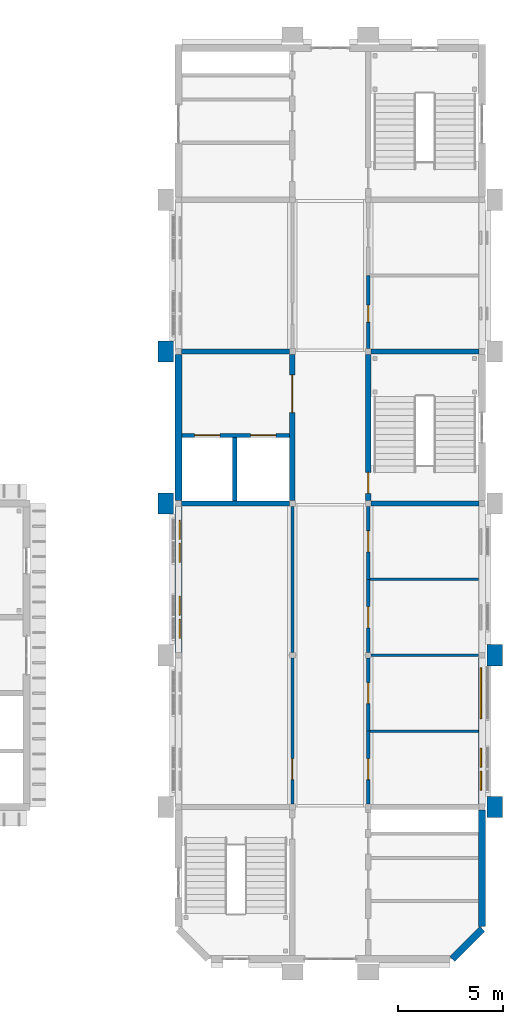
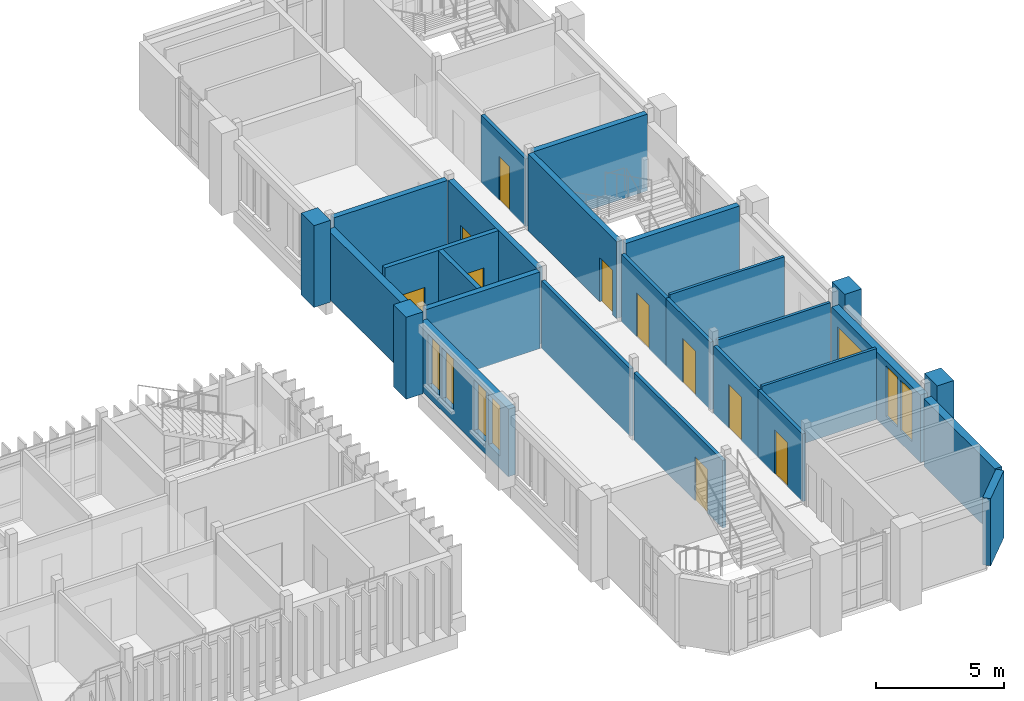
# One storey, part 46 of 69: 27 walls, 10 doors, 7 windows, 17 openings.
"""IFC4 building model written with IfcOpenShell, lengths in metres."""

import ifcopenshell
import ifcopenshell.guid

model = None  # the IFC model being written
_history = None  # IfcOwnerHistory: only IFC2X3 demands one
_inside = {}  # id of a spatial element -> (the spatial element, [elements in it])
_under = {}  # id of a project, library or spatial element -> (it, [spatial elements below it])
_declared = {}  # id of a project -> (the project, [libraries it declares])
_typed = {}  # id of a type object -> (the type object, [elements of that type])
_made_of = {}  # id of a material, layer set ... -> (it, [elements and type objects made of it])


def new_model(schema):
    """Start an empty IFC model of exactly this schema.

    Asked for "IFC4X3", IfcOpenShell would pick the latest addendum, in which some entities
    have other attributes; the version numbers below select the first issue.
    IFC2X3 requires an IfcOwnerHistory on every rooted entity: one is made here for all.
    """
    global model, _history
    if schema == "IFC4X3":
        model = ifcopenshell.file(schema_version=(4, 3, 0, 0))
    else:
        model = ifcopenshell.file(schema=schema)
    _inside.clear()
    _under.clear()
    _declared.clear()
    _typed.clear()
    _made_of.clear()
    _history = None
    if model.schema == "IFC2X3":
        org = make("IfcOrganization", Name="unknown")
        user = make(
            "IfcPersonAndOrganization",
            ThePerson=make("IfcPerson", FamilyName="unknown"),
            TheOrganization=org,
        )
        app = make(
            "IfcApplication",
            ApplicationDeveloper=org,
            Version="unknown",
            ApplicationFullName="unknown",
            ApplicationIdentifier="unknown",
        )
        _history = make(
            "IfcOwnerHistory",
            OwningUser=user,
            OwningApplication=app,
            ChangeAction="ADDED",
            CreationDate=0,
        )
    return model


def make(cls, **values):
    """One entity of the class cls with the attributes given. An attribute that is None is left unset."""
    return model.create_entity(
        cls, **{name: value for name, value in values.items() if value is not None}
    )


def rooted(cls, **values):
    """An entity with a GlobalId (a new one), such as an element, a storey or a relation."""
    return make(cls, GlobalId=ifcopenshell.guid.new(), OwnerHistory=_history, **values)


def si_unit(unit_type, name, prefix=None):
    """IfcSIUnit, for example si_unit("LENGTHUNIT", "METRE", prefix="MILLI")."""
    return make("IfcSIUnit", UnitType=unit_type, Prefix=prefix, Name=name)


def assignment(units):
    """IfcUnitAssignment: the units of a project."""
    return None if units is None else make("IfcUnitAssignment", Units=units)


def point(xyz):
    """IfcCartesianPoint."""
    return None if xyz is None else make("IfcCartesianPoint", Coordinates=xyz)


def direction(xyz):
    """IfcDirection."""
    return None if xyz is None else make("IfcDirection", DirectionRatios=xyz)


def frame(location, z_axis=None, x_axis=None):
    """IfcAxis2Placement3D, a coordinate frame: its origin and axes. An axis left out is left unset."""
    return make(
        "IfcAxis2Placement3D",
        Location=point(location),
        Axis=direction(z_axis),
        RefDirection=direction(x_axis),
    )


def frame_2d(location, x_axis=None):
    """IfcAxis2Placement2D, a coordinate frame in the plane: its origin and x axis."""
    return make(
        "IfcAxis2Placement2D", Location=point(location), RefDirection=direction(x_axis)
    )


def origin():
    """The frame at (0, 0, 0) with its axes left unset."""
    return frame((0.0, 0.0, 0.0))


def place(relative_to, where):
    """IfcLocalPlacement: puts the frame where relative to a parent placement (None: the world)."""
    return make(
        "IfcLocalPlacement", PlacementRelTo=relative_to, RelativePlacement=where
    )


def context(
    kind, dimensions, precision=None, world=None, true_north=None, identifier=None
):
    """IfcGeometricRepresentationContext, for example the 3D "Model" context."""
    return make(
        "IfcGeometricRepresentationContext",
        ContextIdentifier=identifier,
        ContextType=kind,
        CoordinateSpaceDimension=dimensions,
        Precision=precision,
        WorldCoordinateSystem=world,
        TrueNorth=true_north,
    )


def subcontext(parent, identifier, kind, view, scale=None):
    """IfcGeometricRepresentationSubContext, for example "Body" below "Model"."""
    return make(
        "IfcGeometricRepresentationSubContext",
        ContextIdentifier=identifier,
        ContextType=kind,
        ParentContext=parent,
        TargetScale=scale,
        TargetView=view,
    )


def project(units=None, contexts=None):
    """IfcProject with its units and contexts."""
    return rooted(
        "IfcProject",
        Name="project",
        RepresentationContexts=contexts,
        UnitsInContext=assignment(units),
    )


def spatial(cls, under=None, at=None, **own):
    """A site, building, storey or space (cls), placed at a placement, below another one or the project."""
    s = rooted(cls, ObjectPlacement=at, **own)
    if under is not None:
        _under.setdefault(under.id(), (under, []))[1].append(s)
    return s


def profile(cls, at=None, kind="AREA", **sizes):
    """A parametric profile (cls). Its sizes go by their IFC names, for example OverallWidth=200.0."""
    return make(cls, ProfileType=kind, Position=at, **sizes)


def rectangle(**sizes):
    """IfcRectangleProfileDef."""
    return profile("IfcRectangleProfileDef", **sizes)


def extrude(swept, where, along, depth):
    """IfcExtrudedAreaSolid: the profile swept, set in the frame where, extruded along a direction by depth."""
    return make(
        "IfcExtrudedAreaSolid",
        SweptArea=swept,
        Position=where,
        ExtrudedDirection=direction(along),
        Depth=depth,
    )


def shape(context_of_items, identifier, shape_type, items):
    """IfcShapeRepresentation: the items that make up one representation, for example the "Body"."""
    return make(
        "IfcShapeRepresentation",
        ContextOfItems=context_of_items,
        RepresentationIdentifier=identifier,
        RepresentationType=shape_type,
        Items=items,
    )


def material(Name=None, Category=None):
    """IfcMaterial."""
    return make("IfcMaterial", Name=Name, Category=Category)


def layer(
    of_material, thickness, ventilated=None, Name=None, Category=None, Priority=None
):
    """IfcMaterialLayer: one layer of a wall or slab, of a material (None: an air gap)."""
    return make(
        "IfcMaterialLayer",
        Material=of_material,
        LayerThickness=thickness,
        IsVentilated=ventilated,
        Name=Name,
        Category=Category,
        Priority=Priority,
    )


def layer_set(layers, Name=None):
    """IfcMaterialLayerSet."""
    return make("IfcMaterialLayerSet", MaterialLayers=layers, LayerSetName=Name)


def made_of(thing, what):
    """Note that an element or type object is made of a material, layer set ...; save() writes the relation."""
    if what is not None:
        _made_of.setdefault(what.id(), (what, []))[1].append(thing)
    return thing


def type_object(cls, material=None, **own):
    """A type object (cls), such as IfcWallType, which elements share."""
    return made_of(rooted(cls, **own), material)


def element(
    cls,
    number,
    at=None,
    inside=None,
    cuts=None,
    type_object=None,
    material=None,
    context=None,
    identifier="Body",
    shape_type=None,
    held_by="IfcProductDefinitionShape",
    body=None,
    shapes=None,
    **own,
):
    """One element of the class cls, such as IfcWall. Its Tag is "e" and its number.

    at: its placement. inside: the storey or other place that contains it. cuts: it is an
    opening in that element (IfcRelVoidsElement). A single representation is given by context,
    identifier, shape_type and body (its items); several are given by shapes. held_by: the class
    of the entity that holds the representations. save() writes the other relations.
    """
    e = rooted(cls, Tag="e%d" % number, ObjectPlacement=at, **own)
    if body is not None:
        shapes = [shape(context, identifier, shape_type, body)]
    if shapes is not None:
        e.Representation = make(held_by, Representations=shapes)
    if inside is not None:
        _inside.setdefault(inside.id(), (inside, []))[1].append(e)
    if cuts is not None:
        rooted(
            "IfcRelVoidsElement", RelatingBuildingElement=cuts, RelatedOpeningElement=e
        )
    if type_object is not None:
        _typed.setdefault(type_object.id(), (type_object, []))[1].append(e)
    return made_of(e, material)


def fill(opening, filler):
    """IfcRelFillsElement: the door or window that sits in an opening."""
    return rooted(
        "IfcRelFillsElement",
        RelatingOpeningElement=opening,
        RelatedBuildingElement=filler,
    )


def aggregate(whole, parts):
    """IfcRelAggregates: a whole, such as a stair, and the parts it consists of."""
    return rooted("IfcRelAggregates", RelatingObject=whole, RelatedObjects=parts)


def save(model, path):
    """Write the relations noted so far, then the file.

    IfcRelAggregates (storeys below a building ...), IfcRelContainedInSpatialStructure (elements
    in a storey), IfcRelDefinesByType, IfcRelAssociatesMaterial and IfcRelDeclares: one each for
    every whole, place, type object, material and project.
    """
    for whole, parts in _under.values():
        aggregate(whole, parts)
    for where, things in _inside.values():
        rooted(
            "IfcRelContainedInSpatialStructure",
            RelatedElements=things,
            RelatingStructure=where,
        )
    for kind, things in _typed.values():
        rooted("IfcRelDefinesByType", RelatedObjects=things, RelatingType=kind)
    for what, things in _made_of.values():
        rooted("IfcRelAssociatesMaterial", RelatedObjects=things, RelatingMaterial=what)
    for by, libraries in _declared.values():
        rooted("IfcRelDeclares", RelatingContext=by, RelatedDefinitions=libraries)
    model.write(path)


model = new_model("IFC4")

# Units and contexts
model_context = context("Model", 3, precision=1e-05, world=origin(), true_north=direction((0.0, 1.0)))
body_context = subcontext(model_context, "Body", "Model", "MODEL_VIEW")
ifc_project = project(units=[si_unit("LENGTHUNIT", "METRE"), si_unit("AREAUNIT", "SQUARE_METRE"), si_unit("VOLUMEUNIT", "CUBIC_METRE"), si_unit("PLANEANGLEUNIT", "RADIAN"), si_unit("MASSUNIT", "GRAM", prefix="KILO")], contexts=[model_context])

# Site, building, storey
site_placement = place(None, origin())
site = spatial("IfcSite", under=ifc_project, at=site_placement, CompositionType="ELEMENT")
building_placement = place(site_placement, origin())
building = spatial("IfcBuilding", under=site, at=building_placement, Name="Mazhai Court Health Centre", CompositionType="ELEMENT")
storey_placement = place(building_placement, frame((0.0, 0.0, 6.300048828125)))
storey = spatial("IfcBuildingStorey", under=building, at=storey_placement, Name="L01", CompositionType="ELEMENT", Elevation=6.300048828125)

# Walls
ifc_material_1 = material(Name="Clay brick masonry", Category="masonry")
ifc_layer_1 = layer(ifc_material_1, 0.75)
ifc_layer_set_1 = layer_set([ifc_layer_1], Name="BRICK PIER 750")
wall_type_1 = type_object("IfcWallType", Name="BRICK PIER 750", PredefinedType="SOLIDWALL", material=ifc_layer_set_1)
for number, where, z_axis, x_axis, name in (
    (1, (135.199951171875, 27.300048828125, 0.0), (0.0, 0.0, 1.0), (0.0, 1.0, 0.0), "EP-V6-L01-A3"),
    (2, (135.199951171875, 34.5, 0.0), (0.0, 0.0, 1.0), (0.0, 1.0, 0.0), "EP-V6-L01-A4"),
    (3, (150.800048828125, 13.89990234375, 0.0), (0.0, 0.0, 1.0), (0.0, -1.0, 0.0), "EP-V6-L01-B1"),
    (4, (150.800048828125, 21.10009765625, 0.0), (0.0, 0.0, 1.0), (0.0, -1.0, 0.0), "EP-V6-L01-B2"),
):
    element("IfcWall", number, at=place(storey_placement, frame(where, z_axis=z_axis, x_axis=x_axis)), inside=storey, type_object=wall_type_1, Name=name, PredefinedType="SOLIDWALL", context=body_context, shape_type="SweptSolid", body=[
        extrude(rectangle(XDim=1.0, YDim=0.75, at=frame_2d((0.5, 0.0))), origin(), (0.0, 0.0, 1.0), 3.89990234375),
    ])

# Wall, openings, windows
ifc_material_2 = material(Name="Clay brick masonry", Category="masonry")
ifc_layer_2 = layer(ifc_material_2, 0.330078125)
ifc_layer_set_2 = layer_set([ifc_layer_2], Name="BRICK WALL 330 EXTERNAL")
wall_type_2 = type_object("IfcWallType", Name="BRICK WALL 330 EXTERNAL", PredefinedType="SOLIDWALL", material=ifc_layer_set_2)
wall_1_placement = place(storey_placement, frame((135.800048828125, 20.739990234375, 0.0), z_axis=(0.0, 0.0, 1.0), x_axis=(0.0, 1.0, 0.0)))
wall_1 = element("IfcWall", 5, at=wall_1_placement, inside=storey, type_object=wall_type_2, Name="EW-V6-L01-A2p0", PredefinedType="SOLIDWALL", context=body_context, shape_type="SweptSolid", body=[
    extrude(rectangle(XDim=6.919921875, YDim=0.330078125, at=frame_2d((3.4599609375, 0.0))), origin(), (0.0, 0.0, 1.0), 3.219970703125),
])
opening_1_placement = place(wall_1_placement, frame((0.659912109375, 0.0, 0.60009765625)))
opening_1 = element("IfcOpeningElement", 6, at=opening_1_placement, cuts=wall_1, Name="Opening W14", PredefinedType="OPENING", context=body_context, shape_type="SweptSolid", body=[
    extrude(rectangle(XDim=0.89990234375, YDim=2.39990234375, at=frame_2d((0.449951171875, 1.199951171875))), frame((0.0, 0.175048828125, 0.0), z_axis=(0.0, -1.0, 0.0), x_axis=(1.0, 0.0, 0.0)), (0.0, 0.0, 1.0), 0.35009765625),
])
opening_2_placement = place(wall_1_placement, frame((1.760009765625, 0.0, 0.60009765625)))
opening_2 = element("IfcOpeningElement", 7, at=opening_2_placement, cuts=wall_1, Name="Opening W14", PredefinedType="OPENING", context=body_context, shape_type="SweptSolid", body=[
    extrude(rectangle(XDim=0.89990234375, YDim=2.39990234375, at=frame_2d((0.449951171875, 1.199951171875))), frame((0.0, 0.175048828125, 0.0), z_axis=(0.0, -1.0, 0.0), x_axis=(1.0, 0.0, 0.0)), (0.0, 0.0, 1.0), 0.35009765625),
])
opening_3_placement = place(wall_1_placement, frame((4.260009765625, 0.0, 0.60009765625)))
opening_3 = element("IfcOpeningElement", 8, at=opening_3_placement, cuts=wall_1, Name="Opening W14", PredefinedType="OPENING", context=body_context, shape_type="SweptSolid", body=[
    extrude(rectangle(XDim=0.89990234375, YDim=2.39990234375, at=frame_2d((0.449951171875, 1.199951171875))), frame((0.0, 0.175048828125, 0.0), z_axis=(0.0, -1.0, 0.0), x_axis=(1.0, 0.0, 0.0)), (0.0, 0.0, 1.0), 0.35009765625),
])
opening_4_placement = place(wall_1_placement, frame((5.360107421875, 0.0, 0.60009765625)))
opening_4 = element("IfcOpeningElement", 9, at=opening_4_placement, cuts=wall_1, Name="Opening W14", PredefinedType="OPENING", context=body_context, shape_type="SweptSolid", body=[
    extrude(rectangle(XDim=0.89990234375, YDim=2.39990234375, at=frame_2d((0.449951171875, 1.199951171875))), frame((0.0, 0.175048828125, 0.0), z_axis=(0.0, -1.0, 0.0), x_axis=(1.0, 0.0, 0.0)), (0.0, 0.0, 1.0), 0.35009765625),
])
ifc_material_3 = material(Name="Teak timber frame, glazed", Category="wood")
window_type_1 = type_object("IfcWindowType", Name="WINDOW TALL PAIRED 900x2400", PartitioningType="SINGLE_PANEL", PredefinedType="WINDOW", material=ifc_material_3)
window_1_placement = place(opening_1_placement, origin())
window_1 = element("IfcWindow", 10, at=window_1_placement, inside=storey, type_object=window_type_1, Name="W14 WN-V6-L01-A20a", OverallHeight=2.39990234375, OverallWidth=0.89990234375, PartitioningType="SINGLE_PANEL", PredefinedType="WINDOW", context=body_context, shape_type="SweptSolid", body=[
    extrude(rectangle(XDim=0.89990234375, YDim=2.39990234375, at=frame_2d((0.449951171875, 1.199951171875))), frame((0.0, -0.030029296875, 0.0), z_axis=(0.0, -1.0, 0.0), x_axis=(1.0, 0.0, 0.0)), (0.0, 0.0, 1.0), 0.06005859375),
])
fill(opening_1, window_1)
window_2_placement = place(opening_2_placement, origin())
window_2 = element("IfcWindow", 11, at=window_2_placement, inside=storey, type_object=window_type_1, Name="W14 WN-V6-L01-A20b", OverallHeight=2.39990234375, OverallWidth=0.89990234375, PartitioningType="SINGLE_PANEL", PredefinedType="WINDOW", context=body_context, shape_type="SweptSolid", body=[
    extrude(rectangle(XDim=0.89990234375, YDim=2.39990234375, at=frame_2d((0.449951171875, 1.199951171875))), frame((0.0, -0.030029296875, 0.0), z_axis=(0.0, -1.0, 0.0), x_axis=(1.0, 0.0, 0.0)), (0.0, 0.0, 1.0), 0.06005859375),
])
fill(opening_2, window_2)
window_3_placement = place(opening_3_placement, origin())
window_3 = element("IfcWindow", 12, at=window_3_placement, inside=storey, type_object=window_type_1, Name="W14 WN-V6-L01-A21a", OverallHeight=2.39990234375, OverallWidth=0.89990234375, PartitioningType="SINGLE_PANEL", PredefinedType="WINDOW", context=body_context, shape_type="SweptSolid", body=[
    extrude(rectangle(XDim=0.89990234375, YDim=2.39990234375, at=frame_2d((0.449951171875, 1.199951171875))), frame((0.0, -0.030029296875, 0.0), z_axis=(0.0, -1.0, 0.0), x_axis=(1.0, 0.0, 0.0)), (0.0, 0.0, 1.0), 0.06005859375),
])
fill(opening_3, window_3)
window_4_placement = place(opening_4_placement, origin())
window_4 = element("IfcWindow", 13, at=window_4_placement, inside=storey, type_object=window_type_1, Name="W14 WN-V6-L01-A21b", OverallHeight=2.39990234375, OverallWidth=0.89990234375, PartitioningType="SINGLE_PANEL", PredefinedType="WINDOW", context=body_context, shape_type="SweptSolid", body=[
    extrude(rectangle(XDim=0.89990234375, YDim=2.39990234375, at=frame_2d((0.449951171875, 1.199951171875))), frame((0.0, -0.030029296875, 0.0), z_axis=(0.0, -1.0, 0.0), x_axis=(1.0, 0.0, 0.0)), (0.0, 0.0, 1.0), 0.06005859375),
])
fill(opening_4, window_4)

# Walls
wall_2_placement = place(storey_placement, frame((135.800048828125, 27.93994140625, 0.0), z_axis=(0.0, 0.0, 1.0), x_axis=(0.0, 1.0, 0.0)))
element("IfcWall", 14, at=wall_2_placement, inside=storey, type_object=wall_type_2, Name="EW-V6-L01-A3", PredefinedType="SOLIDWALL", context=body_context, shape_type="SweptSolid", body=[
    extrude(rectangle(XDim=6.920166015625, YDim=0.330078125, at=frame_2d((3.4599609375, 0.0))), origin(), (0.0, 0.0, 1.0), 3.219970703125),
])
wall_3_placement = place(storey_placement, frame((150.199951171875, 13.260009765625, 0.0), z_axis=(0.0, 0.0, 1.0), x_axis=(0.0, -1.0, 0.0)))
element("IfcWall", 15, at=wall_3_placement, inside=storey, type_object=wall_type_2, Name="EW-V6-L01-B0", PredefinedType="SOLIDWALL", context=body_context, shape_type="SweptSolid", body=[
    extrude(rectangle(XDim=5.529052734375, YDim=0.330078125, at=frame_2d((2.7646484375, 0.0))), origin(), (0.0, 0.0, 1.0), 3.219970703125),
])

# Wall, openings, windows
wall_4_placement = place(storey_placement, frame((150.199951171875, 20.4599609375, 0.0), z_axis=(0.0, 0.0, 1.0), x_axis=(0.0, -1.0, 0.0)))
wall_4 = element("IfcWall", 16, at=wall_4_placement, inside=storey, type_object=wall_type_2, Name="EW-V6-L01-B1p0", PredefinedType="SOLIDWALL", context=body_context, shape_type="SweptSolid", body=[
    extrude(rectangle(XDim=6.919921875, YDim=0.330078125, at=frame_2d((3.4599609375, 0.0))), origin(), (0.0, 0.0, 1.0), 3.219970703125),
])
opening_5_placement = place(wall_4_placement, frame((5.360107421875, 0.0, 0.60009765625)))
opening_5 = element("IfcOpeningElement", 17, at=opening_5_placement, cuts=wall_4, Name="Opening W14", PredefinedType="OPENING", context=body_context, shape_type="SweptSolid", body=[
    extrude(rectangle(XDim=0.89990234375, YDim=2.39990234375, at=frame_2d((0.449951171875, 1.199951171875))), frame((0.0, 0.175048828125, 0.0), z_axis=(0.0, -1.0, 0.0), x_axis=(1.0, 0.0, 0.0)), (0.0, 0.0, 1.0), 0.35009765625),
])
opening_6_placement = place(wall_4_placement, frame((4.260009765625, 0.0, 0.60009765625)))
opening_6 = element("IfcOpeningElement", 18, at=opening_6_placement, cuts=wall_4, Name="Opening W14", PredefinedType="OPENING", context=body_context, shape_type="SweptSolid", body=[
    extrude(rectangle(XDim=0.89990234375, YDim=2.39990234375, at=frame_2d((0.449951171875, 1.199951171875))), frame((0.0, 0.175048828125, 0.0), z_axis=(0.0, -1.0, 0.0), x_axis=(1.0, 0.0, 0.0)), (0.0, 0.0, 1.0), 0.35009765625),
])
opening_7_placement = place(wall_4_placement, frame((0.4599609375, 0.0, 0.449951171875)))
opening_7 = element("IfcOpeningElement", 19, at=opening_7_placement, cuts=wall_4, Name="Opening W10", PredefinedType="OPENING", context=body_context, shape_type="SweptSolid", body=[
    extrude(rectangle(XDim=2.39990234375, YDim=2.10009765625, at=frame_2d((1.199951171875, 1.050048828125))), frame((0.0, 0.175048828125, 0.0), z_axis=(0.0, -1.0, 0.0), x_axis=(1.0, 0.0, 0.0)), (0.0, 0.0, 1.0), 0.35009765625),
])
ifc_material_4 = material(Name="Teak timber frame, glazed", Category="wood")
window_type_2 = type_object("IfcWindowType", Name="WINDOW LOUNGE 2400x2100", PartitioningType="SINGLE_PANEL", PredefinedType="WINDOW", material=ifc_material_4)
window_5_placement = place(opening_7_placement, origin())
window_5 = element("IfcWindow", 20, at=window_5_placement, inside=storey, type_object=window_type_2, Name="W10 WN-V6-L01-B11", OverallHeight=2.10009765625, OverallWidth=2.39990234375, PartitioningType="SINGLE_PANEL", PredefinedType="WINDOW", context=body_context, shape_type="SweptSolid", body=[
    extrude(rectangle(XDim=2.39990234375, YDim=2.10009765625, at=frame_2d((1.199951171875, 1.050048828125))), frame((0.0, -0.030029296875, 0.0), z_axis=(0.0, -1.0, 0.0), x_axis=(1.0, 0.0, 0.0)), (0.0, 0.0, 1.0), 0.06005859375),
])
fill(opening_7, window_5)
window_6_placement = place(opening_5_placement, origin())
window_6 = element("IfcWindow", 21, at=window_6_placement, inside=storey, type_object=window_type_1, Name="W14 WN-V6-L01-B10a", OverallHeight=2.39990234375, OverallWidth=0.89990234375, PartitioningType="SINGLE_PANEL", PredefinedType="WINDOW", context=body_context, shape_type="SweptSolid", body=[
    extrude(rectangle(XDim=0.89990234375, YDim=2.39990234375, at=frame_2d((0.449951171875, 1.199951171875))), frame((0.0, -0.030029296875, 0.0), z_axis=(0.0, -1.0, 0.0), x_axis=(1.0, 0.0, 0.0)), (0.0, 0.0, 1.0), 0.06005859375),
])
fill(opening_5, window_6)
window_7_placement = place(opening_6_placement, origin())
window_7 = element("IfcWindow", 22, at=window_7_placement, inside=storey, type_object=window_type_1, Name="W14 WN-V6-L01-B10b", OverallHeight=2.39990234375, OverallWidth=0.89990234375, PartitioningType="SINGLE_PANEL", PredefinedType="WINDOW", context=body_context, shape_type="SweptSolid", body=[
    extrude(rectangle(XDim=0.89990234375, YDim=2.39990234375, at=frame_2d((0.449951171875, 1.199951171875))), frame((0.0, -0.030029296875, 0.0), z_axis=(0.0, -1.0, 0.0), x_axis=(1.0, 0.0, 0.0)), (0.0, 0.0, 1.0), 0.06005859375),
])
fill(opening_6, window_7)

# Walls
wall_5_placement = place(storey_placement, frame((150.199951171875, 7.614013671875, 0.0), z_axis=(0.0, 0.0, 1.0), x_axis=(-0.707106781187, -0.707106781187, 0.0)))
element("IfcWall", 23, at=wall_5_placement, inside=storey, type_object=wall_type_2, Name="EW-V6-L01-CHB", PredefinedType="SOLIDWALL", context=body_context, shape_type="SweptSolid", body=[
    extrude(rectangle(XDim=1.999755859375, YDim=0.330078125, at=frame_2d((1.0, 0.0))), origin(), (0.0, 0.0, 1.0), 3.199951171875),
])
ifc_material_5 = material(Name="Gypsum plasterboard partition")
ifc_layer_3 = layer(ifc_material_5, 0.125)
ifc_layer_set_3 = layer_set([ifc_layer_3], Name="PARTITION 125 STUD EI30")
wall_type_3 = type_object("IfcWallType", Name="PARTITION 125 STUD EI30", PredefinedType="PARTITIONING", material=ifc_layer_set_3)
wall_6_placement = place(storey_placement, frame((150.034912109375, 17.0, 0.0), z_axis=(0.0, 0.0, 1.0), x_axis=(-1.0, 0.0, 0.0)))
element("IfcWall", 24, at=wall_6_placement, inside=storey, type_object=wall_type_3, Name="wall-V6-L01-B0-cross-1a", PredefinedType="PARTITIONING", context=body_context, shape_type="SweptSolid", body=[
    extrude(rectangle(XDim=5.159912109375, YDim=0.125, at=frame_2d((2.580078125, 0.0))), origin(), (0.0, 0.0, 1.0), 3.3798828125),
])
wall_7_placement = place(storey_placement, frame((150.034912109375, 20.60009765625, 0.0), z_axis=(0.0, 0.0, 1.0), x_axis=(-1.0, 0.0, 0.0)))
element("IfcWall", 25, at=wall_7_placement, inside=storey, type_object=wall_type_3, Name="wall-V6-L01-B0-cross-2a", PredefinedType="PARTITIONING", context=body_context, shape_type="SweptSolid", body=[
    extrude(rectangle(XDim=5.094970703125, YDim=0.125, at=frame_2d((2.54736328125, 0.0))), origin(), (0.0, 0.0, 1.0), 3.3798828125),
])
wall_8_placement = place(storey_placement, frame((150.034912109375, 24.199951171875, 0.0), z_axis=(0.0, 0.0, 1.0), x_axis=(-1.0, 0.0, 0.0)))
element("IfcWall", 26, at=wall_8_placement, inside=storey, type_object=wall_type_3, Name="wall-V6-L01-B0-cross-3a", PredefinedType="PARTITIONING", context=body_context, shape_type="SweptSolid", body=[
    extrude(rectangle(XDim=5.159912109375, YDim=0.125, at=frame_2d((2.580078125, 0.0))), origin(), (0.0, 0.0, 1.0), 3.3798828125),
])

# Wall, opening, door
ifc_material_6 = material(Name="Gypsum plasterboard partition")
ifc_layer_4 = layer(ifc_material_6, 0.14990234375)
ifc_layer_set_4 = layer_set([ifc_layer_4], Name="PARTITION 150 CORRIDOR EI60")
wall_type_4 = type_object("IfcWallType", Name="PARTITION 150 CORRIDOR EI60", PredefinedType="PARTITIONING", material=ifc_layer_set_4)
wall_9_placement = place(storey_placement, frame((141.199951171875, 13.5400390625, 0.0), z_axis=(0.0, 0.0, 1.0), x_axis=(0.0, 1.0, 0.0)))
wall_9 = element("IfcWall", 27, at=wall_9_placement, inside=storey, type_object=wall_type_4, Name="wall-V6-L01-A0-corr-0a", PredefinedType="PARTITIONING", context=body_context, shape_type="SweptSolid", body=[
    extrude(rectangle(XDim=6.919921875, YDim=0.14990234375, at=frame_2d((3.4599609375, 0.0))), origin(), (0.0, 0.0, 1.0), 3.219970703125),
])
opening_8_placement = place(wall_9_placement, frame((1.159912109375, 0.0, 0.0)))
opening_8 = element("IfcOpeningElement", 28, at=opening_8_placement, cuts=wall_9, Name="Opening D-L01-070", PredefinedType="OPENING", context=body_context, shape_type="SweptSolid", body=[
    extrude(rectangle(XDim=1.0, YDim=2.10009765625, at=frame_2d((0.5, 1.050048828125))), frame((0.0, 0.0849609375, 0.0), z_axis=(0.0, -1.0, 0.0), x_axis=(1.0, 0.0, 0.0)), (0.0, 0.0, 1.0), 0.169921875),
])
ifc_material_7 = material(Name="Hardwood door leaf", Category="wood")
door_type_1 = type_object("IfcDoorType", Name="DOOR 1000x2100 FD30S SINGLE", OperationType="NOTDEFINED", PredefinedType="DOOR", material=ifc_material_7)
door_1_placement = place(opening_8_placement, origin())
door_1 = element("IfcDoor", 29, at=door_1_placement, inside=storey, type_object=door_type_1, Name="door-V6-L01-A0-library-and-reading-room", OperationType="SINGLE_SWING_LEFT", OverallHeight=2.10009765625, OverallWidth=1.0, PredefinedType="DOOR", context=body_context, shape_type="SweptSolid", body=[
    extrude(rectangle(XDim=1.0, YDim=2.10009765625, at=frame_2d((0.5, 1.050048828125))), frame((0.0, 0.02490234375, 0.0), z_axis=(0.0, -1.0, 0.0), x_axis=(1.0, 0.0, 0.0)), (0.0, 0.0, 1.0), 0.050048828125),
])
fill(opening_8, door_1)

# Wall
wall_10_placement = place(storey_placement, frame((141.199951171875, 20.739990234375, 0.0), z_axis=(0.0, 0.0, 1.0), x_axis=(0.0, 1.0, 0.0)))
element("IfcWall", 30, at=wall_10_placement, inside=storey, type_object=wall_type_4, Name="wall-V6-L01-A0-corr-0b", PredefinedType="PARTITIONING", context=body_context, shape_type="SweptSolid", body=[
    extrude(rectangle(XDim=6.919921875, YDim=0.14990234375, at=frame_2d((3.4599609375, 0.0))), origin(), (0.0, 0.0, 1.0), 3.219970703125),
])

# Wall, opening, door
wall_11_placement = place(storey_placement, frame((144.800048828125, 17.0, 0.0), z_axis=(0.0, 0.0, 1.0), x_axis=(0.0, -1.0, 0.0)))
wall_11 = element("IfcWall", 31, at=wall_11_placement, inside=storey, type_object=wall_type_4, Name="wall-V6-L01-B0-corr-0a", PredefinedType="PARTITIONING", context=body_context, shape_type="SweptSolid", body=[
    extrude(rectangle(XDim=3.4599609375, YDim=0.14990234375, at=frame_2d((1.72998046875, 0.0))), origin(), (0.0, 0.0, 1.0), 3.219970703125),
])
opening_9_placement = place(wall_11_placement, frame((1.300048828125, 0.0, 0.0)))
opening_9 = element("IfcOpeningElement", 32, at=opening_9_placement, cuts=wall_11, Name="Opening D-L01-081", PredefinedType="OPENING", context=body_context, shape_type="SweptSolid", body=[
    extrude(rectangle(XDim=1.0, YDim=2.10009765625, at=frame_2d((0.5, 1.050048828125))), frame((0.0, 0.0849609375, 0.0), z_axis=(0.0, -1.0, 0.0), x_axis=(1.0, 0.0, 0.0)), (0.0, 0.0, 1.0), 0.169921875),
])
door_2_placement = place(opening_9_placement, origin())
door_2 = element("IfcDoor", 33, at=door_2_placement, inside=storey, type_object=door_type_1, Name="door-V6-L01-B0-youth-health-room", OperationType="SINGLE_SWING_RIGHT", OverallHeight=2.10009765625, OverallWidth=1.0, PredefinedType="DOOR", context=body_context, shape_type="SweptSolid", body=[
    extrude(rectangle(XDim=1.0, YDim=2.10009765625, at=frame_2d((0.5, 1.050048828125))), frame((0.0, 0.02490234375, 0.0), z_axis=(0.0, -1.0, 0.0), x_axis=(1.0, 0.0, 0.0)), (0.0, 0.0, 1.0), 0.050048828125),
])
fill(opening_9, door_2)

wall_12_placement = place(storey_placement, frame((144.800048828125, 20.4599609375, 0.0), z_axis=(0.0, 0.0, 1.0), x_axis=(0.0, -1.0, 0.0)))
wall_12 = element("IfcWall", 34, at=wall_12_placement, inside=storey, type_object=wall_type_4, Name="wall-V6-L01-B0-corr-1a", PredefinedType="PARTITIONING", context=body_context, shape_type="SweptSolid", body=[
    extrude(rectangle(XDim=3.4599609375, YDim=0.14990234375, at=frame_2d((1.72998046875, 0.0))), origin(), (0.0, 0.0, 1.0), 3.219970703125),
])
opening_10_placement = place(wall_12_placement, frame((1.159912109375, 0.0, 0.0)))
opening_10 = element("IfcOpeningElement", 35, at=opening_10_placement, cuts=wall_12, Name="Opening D-L01-082", PredefinedType="OPENING", context=body_context, shape_type="SweptSolid", body=[
    extrude(rectangle(XDim=1.0, YDim=2.10009765625, at=frame_2d((0.5, 1.050048828125))), frame((0.0, 0.0849609375, 0.0), z_axis=(0.0, -1.0, 0.0), x_axis=(1.0, 0.0, 0.0)), (0.0, 0.0, 1.0), 0.169921875),
])
door_3_placement = place(opening_10_placement, origin())
door_3 = element("IfcDoor", 36, at=door_3_placement, inside=storey, type_object=door_type_1, Name="door-V6-L01-B0-peer-support-lounge", OperationType="SINGLE_SWING_LEFT", OverallHeight=2.10009765625, OverallWidth=1.0, PredefinedType="DOOR", context=body_context, shape_type="SweptSolid", body=[
    extrude(rectangle(XDim=1.0, YDim=2.10009765625, at=frame_2d((0.5, 1.050048828125))), frame((0.0, 0.02490234375, 0.0), z_axis=(0.0, -1.0, 0.0), x_axis=(1.0, 0.0, 0.0)), (0.0, 0.0, 1.0), 0.050048828125),
])
fill(opening_10, door_3)

wall_13_placement = place(storey_placement, frame((144.800048828125, 24.199951171875, 0.0), z_axis=(0.0, 0.0, 1.0), x_axis=(0.0, -1.0, 0.0)))
wall_13 = element("IfcWall", 37, at=wall_13_placement, inside=storey, type_object=wall_type_4, Name="wall-V6-L01-B0-corr-2a", PredefinedType="PARTITIONING", context=body_context, shape_type="SweptSolid", body=[
    extrude(rectangle(XDim=3.4599609375, YDim=0.14990234375, at=frame_2d((1.72998046875, 0.0))), origin(), (0.0, 0.0, 1.0), 3.219970703125),
])
opening_11_placement = place(wall_13_placement, frame((1.300048828125, 0.0, 0.0)))
opening_11 = element("IfcOpeningElement", 38, at=opening_11_placement, cuts=wall_13, Name="Opening D-L01-083", PredefinedType="OPENING", context=body_context, shape_type="SweptSolid", body=[
    extrude(rectangle(XDim=1.0, YDim=2.10009765625, at=frame_2d((0.5, 1.050048828125))), frame((0.0, 0.0849609375, 0.0), z_axis=(0.0, -1.0, 0.0), x_axis=(1.0, 0.0, 0.0)), (0.0, 0.0, 1.0), 0.169921875),
])
door_4_placement = place(opening_11_placement, origin())
door_4 = element("IfcDoor", 39, at=door_4_placement, inside=storey, type_object=door_type_1, Name="door-V6-L01-B0-administration-office", OperationType="SINGLE_SWING_RIGHT", OverallHeight=2.10009765625, OverallWidth=1.0, PredefinedType="DOOR", context=body_context, shape_type="SweptSolid", body=[
    extrude(rectangle(XDim=1.0, YDim=2.10009765625, at=frame_2d((0.5, 1.050048828125))), frame((0.0, 0.02490234375, 0.0), z_axis=(0.0, -1.0, 0.0), x_axis=(1.0, 0.0, 0.0)), (0.0, 0.0, 1.0), 0.050048828125),
])
fill(opening_11, door_4)

wall_14_placement = place(storey_placement, frame((144.800048828125, 27.659912109375, 0.0), z_axis=(0.0, 0.0, 1.0), x_axis=(0.0, -1.0, 0.0)))
wall_14 = element("IfcWall", 40, at=wall_14_placement, inside=storey, type_object=wall_type_4, Name="wall-V6-L01-B0-corr-3a", PredefinedType="PARTITIONING", context=body_context, shape_type="SweptSolid", body=[
    extrude(rectangle(XDim=3.4599609375, YDim=0.14990234375, at=frame_2d((1.72998046875, 0.0))), origin(), (0.0, 0.0, 1.0), 3.219970703125),
])
opening_12_placement = place(wall_14_placement, frame((1.159912109375, 0.0, 0.0)))
opening_12 = element("IfcOpeningElement", 41, at=opening_12_placement, cuts=wall_14, Name="Opening D-L01-084", PredefinedType="OPENING", context=body_context, shape_type="SweptSolid", body=[
    extrude(rectangle(XDim=1.0, YDim=2.10009765625, at=frame_2d((0.5, 1.050048828125))), frame((0.0, 0.0849609375, 0.0), z_axis=(0.0, -1.0, 0.0), x_axis=(1.0, 0.0, 0.0)), (0.0, 0.0, 1.0), 0.169921875),
])
door_5_placement = place(opening_12_placement, origin())
door_5 = element("IfcDoor", 42, at=door_5_placement, inside=storey, type_object=door_type_1, Name="door-V6-L01-B0-staff-room", OperationType="SINGLE_SWING_LEFT", OverallHeight=2.10009765625, OverallWidth=1.0, PredefinedType="DOOR", context=body_context, shape_type="SweptSolid", body=[
    extrude(rectangle(XDim=1.0, YDim=2.10009765625, at=frame_2d((0.5, 1.050048828125))), frame((0.0, 0.02490234375, 0.0), z_axis=(0.0, -1.0, 0.0), x_axis=(1.0, 0.0, 0.0)), (0.0, 0.0, 1.0), 0.050048828125),
])
fill(opening_12, door_5)

wall_15_placement = place(storey_placement, frame((144.800048828125, 38.60009765625, 0.0), z_axis=(0.0, 0.0, 1.0), x_axis=(0.0, -1.0, 0.0)))
wall_15 = element("IfcWall", 43, at=wall_15_placement, inside=storey, type_object=wall_type_4, Name="wall-V6-L01-B1-corr-0a", PredefinedType="PARTITIONING", context=body_context, shape_type="SweptSolid", body=[
    extrude(rectangle(XDim=3.460205078125, YDim=0.14990234375, at=frame_2d((1.72998046875, 0.0))), origin(), (0.0, 0.0, 1.0), 3.219970703125),
])
opening_13_placement = place(wall_15_placement, frame((1.39990234375, 0.0, 0.0)))
opening_13 = element("IfcOpeningElement", 44, at=opening_13_placement, cuts=wall_15, Name="Opening D-L01-086", PredefinedType="OPENING", context=body_context, shape_type="SweptSolid", body=[
    extrude(rectangle(XDim=0.800048828125, YDim=2.10009765625, at=frame_2d((0.39990234375, 1.050048828125))), frame((0.0, 0.0849609375, 0.0), z_axis=(0.0, -1.0, 0.0), x_axis=(1.0, 0.0, 0.0)), (0.0, 0.0, 1.0), 0.169921875),
])
ifc_material_8 = material(Name="Hardwood door leaf", Category="wood")
door_type_2 = type_object("IfcDoorType", Name="DOOR 800x2100 FD30S SINGLE", OperationType="NOTDEFINED", PredefinedType="DOOR", material=ifc_material_8)
door_6_placement = place(opening_13_placement, origin())
door_6 = element("IfcDoor", 45, at=door_6_placement, inside=storey, type_object=door_type_2, Name="door-V6-L01-B1-records-room", OperationType="SINGLE_SWING_RIGHT", OverallHeight=2.10009765625, OverallWidth=0.800048828125, PredefinedType="DOOR", context=body_context, shape_type="SweptSolid", body=[
    extrude(rectangle(XDim=0.800048828125, YDim=2.10009765625, at=frame_2d((0.39990234375, 1.050048828125))), frame((0.0, 0.02490234375, 0.0), z_axis=(0.0, -1.0, 0.0), x_axis=(1.0, 0.0, 0.0)), (0.0, 0.0, 1.0), 0.050048828125),
])
fill(opening_13, door_6)

ifc_material_9 = material(Name="Concrete M40", Category="concrete")
ifc_layer_5 = layer(ifc_material_9, 0.25)
ifc_layer_set_5 = layer_set([ifc_layer_5], Name="RC CORE WALL 250 M40")
wall_type_5 = type_object("IfcWallType", Name="RC CORE WALL 250 M40", PredefinedType="SHEAR", material=ifc_layer_set_5)
wall_16_placement = place(storey_placement, frame((144.800048828125, 27.93994140625, 0.0), z_axis=(0.0, 0.0, 1.0), x_axis=(0.0, 1.0, 0.0)))
wall_16 = element("IfcWall", 46, at=wall_16_placement, inside=storey, type_object=wall_type_5, Name="core-C9-w-stair-corr-L01", PredefinedType="SHEAR", context=body_context, shape_type="SweptSolid", body=[
    extrude(rectangle(XDim=6.920166015625, YDim=0.25, at=frame_2d((3.4599609375, 0.0))), origin(), (0.0, 0.0, 1.0), 3.64990234375),
])
opening_14_placement = place(wall_16_placement, frame((0.3349609375, 0.0, 0.0)))
opening_14 = element("IfcOpeningElement", 47, at=opening_14_placement, cuts=wall_16, Name="Opening D-L01-085", PredefinedType="OPENING", context=body_context, shape_type="SweptSolid", body=[
    extrude(rectangle(XDim=1.0, YDim=2.10009765625, at=frame_2d((0.5, 1.050048828125))), frame((0.0, 0.135009765625, 0.0), z_axis=(0.0, -1.0, 0.0), x_axis=(1.0, 0.0, 0.0)), (0.0, 0.0, 1.0), 0.27001953125),
])
ifc_material_10 = material(Name="Steel fire door leaf", Category="steel")
door_type_3 = type_object("IfcDoorType", Name="FD120S STAIR DOOR 1000x2100", OperationType="SINGLE_SWING_LEFT", PredefinedType="DOOR", material=ifc_material_10)
door_7_placement = place(opening_14_placement, origin())
door_7 = element("IfcDoor", 48, at=door_7_placement, inside=storey, type_object=door_type_3, Name="Stair 9 door L01", OperationType="SINGLE_SWING_LEFT", OverallHeight=2.10009765625, OverallWidth=1.0, PredefinedType="DOOR", context=body_context, shape_type="SweptSolid", body=[
    extrude(rectangle(XDim=1.0, YDim=2.10009765625, at=frame_2d((0.5, 1.050048828125))), frame((0.0, 0.02490234375, 0.0), z_axis=(0.0, -1.0, 0.0), x_axis=(1.0, 0.0, 0.0)), (0.0, 0.0, 1.0), 0.050048828125),
])
fill(opening_14, door_7)

# Walls
for number, where, z_axis, x_axis, name in (
    (49, (144.93994140625, 27.800048828125, 0.0), (0.0, 0.0, 1.0), (1.0, 0.0, 0.0), "core-C9-w-stair-line0-L01"),
    (50, (144.93994140625, 35.0, 0.0), (0.0, 0.0, 1.0), (1.0, 0.0, 0.0), "core-C9-w-stair-line1-L01"),
):
    element("IfcWall", number, at=place(storey_placement, frame(where, z_axis=z_axis, x_axis=x_axis)), inside=storey, type_object=wall_type_5, Name=name, PredefinedType="SHEAR", context=body_context, shape_type="SweptSolid", body=[
        extrude(rectangle(XDim=5.1201171875, YDim=0.25, at=frame_2d((2.56005859375, 0.0))), origin(), (0.0, 0.0, 1.0), 3.64990234375),
    ])

# Wall, opening, door
wall_17_placement = place(storey_placement, frame((141.199951171875, 27.93994140625, 0.0), z_axis=(0.0, 0.0, 1.0), x_axis=(0.0, 1.0, 0.0)))
wall_17 = element("IfcWall", 51, at=wall_17_placement, inside=storey, type_object=wall_type_5, Name="core-C9-w-other-corr-L01", PredefinedType="SHEAR", context=body_context, shape_type="SweptSolid", body=[
    extrude(rectangle(XDim=6.920166015625, YDim=0.25, at=frame_2d((3.4599609375, 0.0))), origin(), (0.0, 0.0, 1.0), 3.64990234375),
])
opening_15_placement = place(wall_17_placement, frame((4.159912109375, 0.0, 0.0)))
opening_15 = element("IfcOpeningElement", 52, at=opening_15_placement, cuts=wall_17, Name="Opening D-L01-071", PredefinedType="OPENING", context=body_context, shape_type="SweptSolid", body=[
    extrude(rectangle(XDim=1.800048828125, YDim=2.10009765625, at=frame_2d((0.89990234375, 1.050048828125))), frame((0.0, 0.135009765625, 0.0), z_axis=(0.0, -1.0, 0.0), x_axis=(1.0, 0.0, 0.0)), (0.0, 0.0, 1.0), 0.27001953125),
])
ifc_material_11 = material(Name="Steel fire door leaf", Category="steel")
door_type_4 = type_object("IfcDoorType", Name="FD60S LIFT LOBBY DOOR 1800x2100", OperationType="DOUBLE_DOOR_SINGLE_SWING", PredefinedType="DOOR", material=ifc_material_11)
door_8_placement = place(opening_15_placement, origin())
door_8 = element("IfcDoor", 53, at=door_8_placement, inside=storey, type_object=door_type_4, Name="Lift lobby door L01", OperationType="DOUBLE_DOOR_SINGLE_SWING", OverallHeight=2.10009765625, OverallWidth=1.800048828125, PredefinedType="DOOR", context=body_context, shape_type="SweptSolid", body=[
    extrude(rectangle(XDim=1.800048828125, YDim=2.10009765625, at=frame_2d((0.89990234375, 1.050048828125))), frame((0.0, 0.02490234375, 0.0), z_axis=(0.0, -1.0, 0.0), x_axis=(1.0, 0.0, 0.0)), (0.0, 0.0, 1.0), 0.050048828125),
])
fill(opening_15, door_8)

# Walls
for number, where, z_axis, x_axis, name in (
    (54, (135.93994140625, 27.800048828125, 0.0), (0.0, 0.0, 1.0), (1.0, 0.0, 0.0), "core-C9-w-other-line0-L01"),
    (55, (135.93994140625, 35.0, 0.0), (0.0, 0.0, 1.0), (1.0, 0.0, 0.0), "core-C9-w-other-line1-L01"),
):
    element("IfcWall", number, at=place(storey_placement, frame(where, z_axis=z_axis, x_axis=x_axis)), inside=storey, type_object=wall_type_5, Name=name, PredefinedType="SHEAR", context=body_context, shape_type="SweptSolid", body=[
        extrude(rectangle(XDim=5.1201171875, YDim=0.25, at=frame_2d((2.56005859375, 0.0))), origin(), (0.0, 0.0, 1.0), 3.64990234375),
    ])

# Wall, openings, doors
ifc_material_12 = material(Name="Concrete M40", Category="concrete")
ifc_layer_6 = layer(ifc_material_12, 0.199951171875)
ifc_layer_set_6 = layer_set([ifc_layer_6], Name="RC SHAFT WALL 200 M40")
wall_type_6 = type_object("IfcWallType", Name="RC SHAFT WALL 200 M40", PredefinedType="SHEAR", material=ifc_layer_set_6)
wall_18_placement = place(storey_placement, frame((135.965087890625, 31.02490234375, 0.0), z_axis=(0.0, 0.0, 1.0), x_axis=(1.0, 0.0, 0.0)))
wall_18 = element("IfcWall", 56, at=wall_18_placement, inside=storey, type_object=wall_type_6, Name="core-C9-w-front-L01", PredefinedType="SHEAR", context=body_context, shape_type="SweptSolid", body=[
    extrude(rectangle(XDim=5.10986328125, YDim=0.199951171875, at=frame_2d((2.554931640625, 0.0))), origin(), (0.0, 0.0, 1.0), 3.64990234375),
])
opening_16_placement = place(wall_18_placement, frame((0.60009765625, 0.0, 0.0)))
opening_16 = element("IfcOpeningElement", 57, at=opening_16_placement, cuts=wall_18, Name="Opening LD9-L01", PredefinedType="OPENING", context=body_context, shape_type="SweptSolid", body=[
    extrude(rectangle(XDim=1.199951171875, YDim=2.10009765625, at=frame_2d((0.60009765625, 1.050048828125))), frame((0.0, 0.10986328125, 0.0), z_axis=(0.0, -1.0, 0.0), x_axis=(1.0, 0.0, 0.0)), (0.0, 0.0, 1.0), 0.219970703125),
])
opening_17_placement = place(wall_18_placement, frame((3.2548828125, 0.0, 0.0)))
opening_17 = element("IfcOpeningElement", 58, at=opening_17_placement, cuts=wall_18, Name="Opening D-L01-068", PredefinedType="OPENING", context=body_context, shape_type="SweptSolid", body=[
    extrude(rectangle(XDim=1.199951171875, YDim=2.10009765625, at=frame_2d((0.60009765625, 1.050048828125))), frame((0.0, 0.10986328125, 0.0), z_axis=(0.0, -1.0, 0.0), x_axis=(1.0, 0.0, 0.0)), (0.0, 0.0, 1.0), 0.219970703125),
])
ifc_material_13 = material(Name="Steel fire door leaf", Category="steel")
door_type_5 = type_object("IfcDoorType", Name="FD60S RISER ACCESS DOOR 1200x2100", OperationType="DOUBLE_DOOR_SINGLE_SWING", PredefinedType="DOOR", material=ifc_material_13)
door_9_placement = place(opening_17_placement, origin())
door_9 = element("IfcDoor", 59, at=door_9_placement, inside=storey, type_object=door_type_5, Name="Riser door L01", OperationType="DOUBLE_DOOR_SINGLE_SWING", OverallHeight=2.10009765625, OverallWidth=1.199951171875, PredefinedType="DOOR", context=body_context, shape_type="SweptSolid", body=[
    extrude(rectangle(XDim=1.199951171875, YDim=2.10009765625, at=frame_2d((0.60009765625, 1.050048828125))), frame((0.0, 0.02490234375, 0.0), z_axis=(0.0, -1.0, 0.0), x_axis=(1.0, 0.0, 0.0)), (0.0, 0.0, 1.0), 0.050048828125),
])
fill(opening_17, door_9)
ifc_material_14 = material(Name="Stainless steel lift door", Category="steel")
door_type_6 = type_object("IfcDoorType", Name="LIFT LANDING DOOR 1200x2100", OperationType="DOUBLE_DOOR_SLIDING", PredefinedType="DOOR", material=ifc_material_14)
door_10_placement = place(opening_16_placement, origin())
door_10 = element("IfcDoor", 60, at=door_10_placement, inside=storey, type_object=door_type_6, Name="Landing door LD9 L01", OperationType="DOUBLE_DOOR_SLIDING", OverallHeight=2.10009765625, OverallWidth=1.199951171875, PredefinedType="DOOR", context=body_context, shape_type="SweptSolid", body=[
    extrude(rectangle(XDim=1.199951171875, YDim=2.10009765625, at=frame_2d((0.60009765625, 1.050048828125))), frame((0.0, 0.02490234375, 0.0), z_axis=(0.0, -1.0, 0.0), x_axis=(1.0, 0.0, 0.0)), (0.0, 0.0, 1.0), 0.050048828125),
])
fill(opening_16, door_10)

# Wall
wall_19_placement = place(storey_placement, frame((138.465087890625, 27.925048828125, 0.0), z_axis=(0.0, 0.0, 1.0), x_axis=(0.0, 1.0, 0.0)))
element("IfcWall", 61, at=wall_19_placement, inside=storey, type_object=wall_type_6, Name="core-C9-w-divider0-L01", PredefinedType="SHEAR", context=body_context, shape_type="SweptSolid", body=[
    extrude(rectangle(XDim=3.0, YDim=0.199951171875, at=frame_2d((1.5, 0.0))), origin(), (0.0, 0.0, 1.0), 3.64990234375),
])

save(model, "model.ifc")
